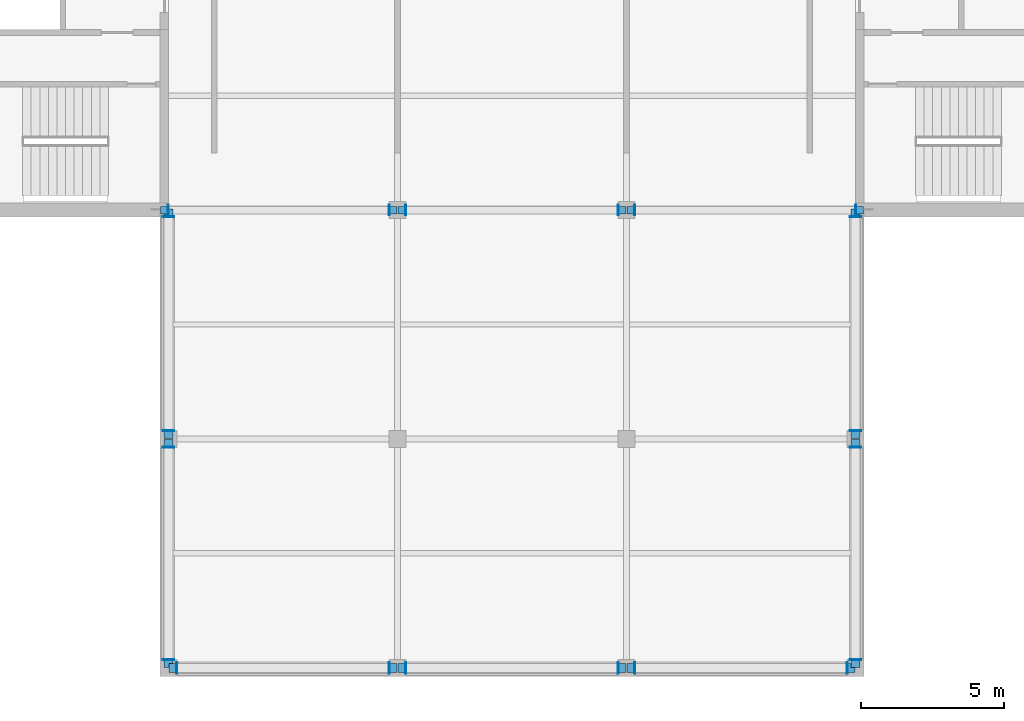
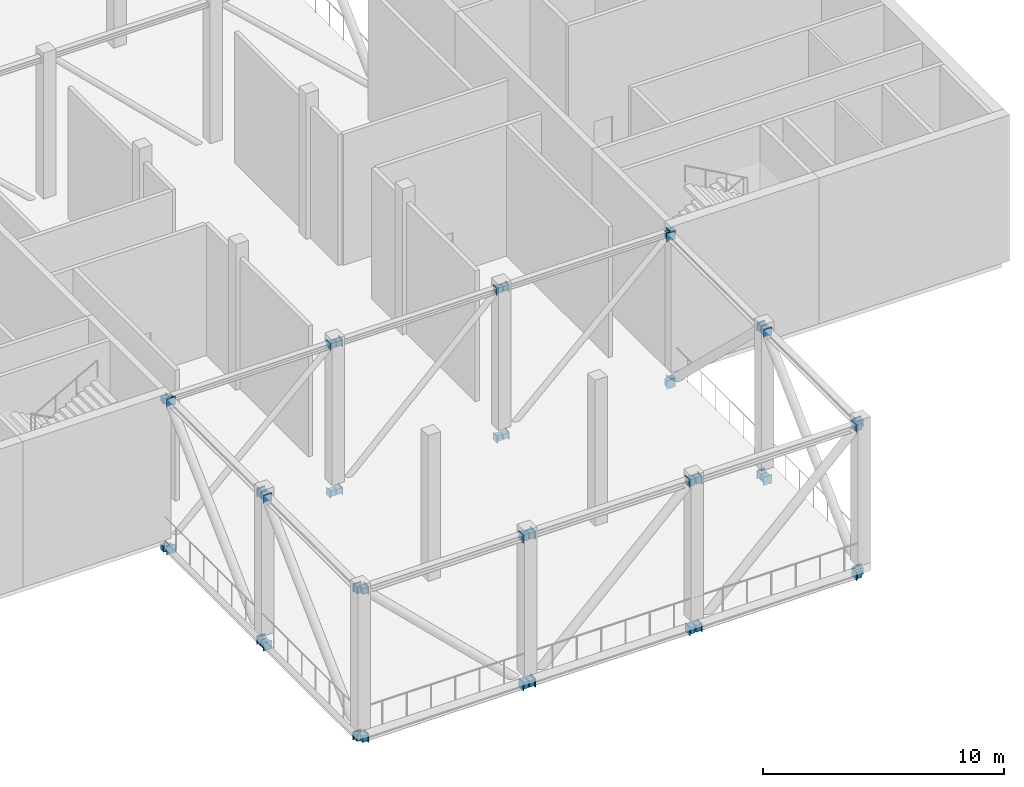
# One storey, part 6 of 9: 80 discrete accessories.
"""IFC4 building model written with IfcOpenShell, lengths in metres."""

from ifc_helpers import new_model, si_unit, direction, frame, origin, origin_2d, place, context, subcontext, project, spatial, rectangle, extrude, material, layer, layer_set, type_object, element, save


model = new_model("IFC4")

# Units and contexts
model_context = context("Model", 3, precision=1e-05, world=origin(), true_north=direction((0.0, 1.0)))
body_context = subcontext(model_context, "Body", "Model", "MODEL_VIEW")
ifc_project = project(units=[si_unit("LENGTHUNIT", "METRE"), si_unit("AREAUNIT", "SQUARE_METRE"), si_unit("VOLUMEUNIT", "CUBIC_METRE"), si_unit("PLANEANGLEUNIT", "RADIAN"), si_unit("MASSUNIT", "GRAM", prefix="KILO")], contexts=[model_context])

# Site, building, storey
site_placement = place(None, origin())
site = spatial("IfcSite", under=ifc_project, at=site_placement, CompositionType="ELEMENT")
building_placement = place(site_placement, origin())
building = spatial("IfcBuilding", under=site, at=building_placement, Name="Crosswind Convention Tower", CompositionType="ELEMENT")
storey_placement = place(building_placement, frame((0.0, 0.0, 303.89990234375)))
storey = spatial("IfcBuildingStorey", under=building, at=storey_placement, Name="L66", CompositionType="ELEMENT", Elevation=303.89990234375)

# Discrete accessories
ifc_material = material(Name="Steel S355", Category="steel")
ifc_layer_1 = layer(ifc_material, 0.030029296875)
ifc_layer_set_1 = layer_set([ifc_layer_1], Name="Steel S355")
discrete_accessory_type_1 = type_object("IfcDiscreteAccessoryType", Name="Cast-in plate 361 x 376 x 30", PredefinedType="ANCHORPLATE", material=ifc_layer_set_1)
for number, where, z_axis, x_axis, name in (
    (1, (112.985107421875, 88.0, -0.726318359375), (0.0, 0.0, 1.0), (1.0, 0.0, 0.0), "EP4 L66 cast-in plate"),
    (2, (120.715087890625, 88.0, -0.726318359375), (0.0, 0.0, 1.0), (1.0, 0.0, 0.0), "EP4 L66 cast-in plate"),
    (3, (112.985107421875, 88.0, 6.773681640625), (0.0, 0.0, 1.0), (1.0, 0.0, 0.0), "EP4 L66 cast-in plate"),
    (4, (120.715087890625, 88.0, 6.773681640625), (0.0, 0.0, 1.0), (1.0, 0.0, 0.0), "EP4 L66 cast-in plate"),
    (5, (121.284912109375, 88.0, -0.726318359375), (0.0, 0.0, 1.0), (1.0, 0.0, 0.0), "EP4 L66 cast-in plate"),
    (6, (128.715087890625, 88.0, -0.726318359375), (0.0, 0.0, 1.0), (1.0, 0.0, 0.0), "EP4 L66 cast-in plate"),
    (7, (121.284912109375, 88.0, 6.773681640625), (0.0, 0.0, 1.0), (1.0, 0.0, 0.0), "EP4 L66 cast-in plate"),
    (8, (128.715087890625, 88.0, 6.773681640625), (0.0, 0.0, 1.0), (1.0, 0.0, 0.0), "EP4 L66 cast-in plate"),
    (9, (129.284912109375, 88.0, -0.726318359375), (0.0, 0.0, 1.0), (1.0, 0.0, 0.0), "EP4 L66 cast-in plate"),
    (10, (137.014892578125, 88.0, -0.726318359375), (0.0, 0.0, 1.0), (1.0, 0.0, 0.0), "EP4 L66 cast-in plate"),
    (11, (129.284912109375, 88.0, 6.773681640625), (0.0, 0.0, 1.0), (1.0, 0.0, 0.0), "EP4 L66 cast-in plate"),
    (12, (137.014892578125, 88.0, 6.773681640625), (0.0, 0.0, 1.0), (1.0, 0.0, 0.0), "EP4 L66 cast-in plate"),
):
    element("IfcDiscreteAccessory", number, at=place(storey_placement, frame(where, z_axis=z_axis, x_axis=x_axis)), inside=storey, type_object=discrete_accessory_type_1, Name=name, PredefinedType="ANCHORPLATE", context=body_context, shape_type="SweptSolid", body=[
        extrude(rectangle(XDim=0.030029296875, YDim=0.361083984375, at=origin_2d()), origin(), (0.0, 0.0, 1.0), 0.37646484375),
    ])
ifc_layer_2 = layer(ifc_material, 0.030029296875)
ifc_layer_set_2 = layer_set([ifc_layer_2], Name="Steel S355")
discrete_accessory_type_2 = type_object("IfcDiscreteAccessoryType", Name="Cast-in plate 411 x 427 x 30", PredefinedType="ANCHORPLATE", material=ifc_layer_set_2)
for number, where, z_axis, x_axis, name in (
    (13, (113.0, 72.284912109375, -0.777099609375), (0.0, 0.0, 1.0), (1.0, 0.0, 0.0), "EP3 L66 cast-in plate"),
    (14, (113.0, 79.715087890625, -0.777099609375), (0.0, 0.0, 1.0), (1.0, 0.0, 0.0), "EP3 L66 cast-in plate"),
    (15, (113.0, 72.284912109375, 6.722900390625), (0.0, 0.0, 1.0), (1.0, 0.0, 0.0), "EP3 L66 cast-in plate"),
    (16, (113.0, 79.715087890625, 6.722900390625), (0.0, 0.0, 1.0), (1.0, 0.0, 0.0), "EP3 L66 cast-in plate"),
):
    element("IfcDiscreteAccessory", number, at=place(storey_placement, frame(where, z_axis=z_axis, x_axis=x_axis)), inside=storey, type_object=discrete_accessory_type_2, Name=name, PredefinedType="ANCHORPLATE", context=body_context, shape_type="SweptSolid", body=[
        extrude(rectangle(XDim=0.41064453125, YDim=0.030029296875, at=origin_2d()), origin(), (0.0, 0.0, 1.0), 0.42724609375),
    ])
for number, where, z_axis, x_axis, name in (
    (17, (113.284912109375, 72.0, -0.777099609375), (0.0, 0.0, 1.0), (1.0, 0.0, 0.0), "EP3 L66 cast-in plate"),
    (18, (120.715087890625, 72.0, -0.777099609375), (0.0, 0.0, 1.0), (1.0, 0.0, 0.0), "EP3 L66 cast-in plate"),
    (19, (113.284912109375, 72.0, 6.722900390625), (0.0, 0.0, 1.0), (1.0, 0.0, 0.0), "EP3 L66 cast-in plate"),
    (20, (120.715087890625, 72.0, 6.722900390625), (0.0, 0.0, 1.0), (1.0, 0.0, 0.0), "EP3 L66 cast-in plate"),
):
    element("IfcDiscreteAccessory", number, at=place(storey_placement, frame(where, z_axis=z_axis, x_axis=x_axis)), inside=storey, type_object=discrete_accessory_type_2, Name=name, PredefinedType="ANCHORPLATE", context=body_context, shape_type="SweptSolid", body=[
        extrude(rectangle(XDim=0.030029296875, YDim=0.41064453125, at=origin_2d()), origin(), (0.0, 0.0, 1.0), 0.42724609375),
    ])
for number, where, z_axis, x_axis, name in (
    (21, (113.0, 80.284912109375, -0.777099609375), (0.0, 0.0, 1.0), (1.0, 0.0, 0.0), "EP3 L66 cast-in plate"),
    (22, (113.0, 87.764892578125, -0.777099609375), (0.0, 0.0, 1.0), (1.0, 0.0, 0.0), "EP3 L66 cast-in plate"),
    (23, (113.0, 80.284912109375, 6.722900390625), (0.0, 0.0, 1.0), (1.0, 0.0, 0.0), "EP3 L66 cast-in plate"),
    (24, (113.0, 87.764892578125, 6.722900390625), (0.0, 0.0, 1.0), (1.0, 0.0, 0.0), "EP3 L66 cast-in plate"),
):
    element("IfcDiscreteAccessory", number, at=place(storey_placement, frame(where, z_axis=z_axis, x_axis=x_axis)), inside=storey, type_object=discrete_accessory_type_2, Name=name, PredefinedType="ANCHORPLATE", context=body_context, shape_type="SweptSolid", body=[
        extrude(rectangle(XDim=0.41064453125, YDim=0.030029296875, at=origin_2d()), origin(), (0.0, 0.0, 1.0), 0.42724609375),
    ])
for number, where, z_axis, x_axis, name in (
    (25, (121.284912109375, 72.0, -0.777099609375), (0.0, 0.0, 1.0), (1.0, 0.0, 0.0), "EP3 L66 cast-in plate"),
    (26, (128.715087890625, 72.0, -0.777099609375), (0.0, 0.0, 1.0), (1.0, 0.0, 0.0), "EP3 L66 cast-in plate"),
    (27, (121.284912109375, 72.0, 6.722900390625), (0.0, 0.0, 1.0), (1.0, 0.0, 0.0), "EP3 L66 cast-in plate"),
    (28, (128.715087890625, 72.0, 6.722900390625), (0.0, 0.0, 1.0), (1.0, 0.0, 0.0), "EP3 L66 cast-in plate"),
    (29, (129.284912109375, 72.0, -0.777099609375), (0.0, 0.0, 1.0), (1.0, 0.0, 0.0), "EP3 L66 cast-in plate"),
    (30, (136.715087890625, 72.0, -0.777099609375), (0.0, 0.0, 1.0), (1.0, 0.0, 0.0), "EP3 L66 cast-in plate"),
    (31, (129.284912109375, 72.0, 6.722900390625), (0.0, 0.0, 1.0), (1.0, 0.0, 0.0), "EP3 L66 cast-in plate"),
    (32, (136.715087890625, 72.0, 6.722900390625), (0.0, 0.0, 1.0), (1.0, 0.0, 0.0), "EP3 L66 cast-in plate"),
):
    element("IfcDiscreteAccessory", number, at=place(storey_placement, frame(where, z_axis=z_axis, x_axis=x_axis)), inside=storey, type_object=discrete_accessory_type_2, Name=name, PredefinedType="ANCHORPLATE", context=body_context, shape_type="SweptSolid", body=[
        extrude(rectangle(XDim=0.030029296875, YDim=0.41064453125, at=origin_2d()), origin(), (0.0, 0.0, 1.0), 0.42724609375),
    ])
for number, where, z_axis, x_axis, name in (
    (33, (137.0, 72.284912109375, -0.777099609375), (0.0, 0.0, 1.0), (1.0, 0.0, 0.0), "EP3 L66 cast-in plate"),
    (34, (137.0, 79.715087890625, -0.777099609375), (0.0, 0.0, 1.0), (1.0, 0.0, 0.0), "EP3 L66 cast-in plate"),
    (35, (137.0, 72.284912109375, 6.722900390625), (0.0, 0.0, 1.0), (1.0, 0.0, 0.0), "EP3 L66 cast-in plate"),
    (36, (137.0, 79.715087890625, 6.722900390625), (0.0, 0.0, 1.0), (1.0, 0.0, 0.0), "EP3 L66 cast-in plate"),
    (37, (137.0, 80.284912109375, -0.777099609375), (0.0, 0.0, 1.0), (1.0, 0.0, 0.0), "EP3 L66 cast-in plate"),
    (38, (137.0, 87.764892578125, -0.777099609375), (0.0, 0.0, 1.0), (1.0, 0.0, 0.0), "EP3 L66 cast-in plate"),
    (39, (137.0, 80.284912109375, 6.722900390625), (0.0, 0.0, 1.0), (1.0, 0.0, 0.0), "EP3 L66 cast-in plate"),
    (40, (137.0, 87.764892578125, 6.722900390625), (0.0, 0.0, 1.0), (1.0, 0.0, 0.0), "EP3 L66 cast-in plate"),
):
    element("IfcDiscreteAccessory", number, at=place(storey_placement, frame(where, z_axis=z_axis, x_axis=x_axis)), inside=storey, type_object=discrete_accessory_type_2, Name=name, PredefinedType="ANCHORPLATE", context=body_context, shape_type="SweptSolid", body=[
        extrude(rectangle(XDim=0.41064453125, YDim=0.030029296875, at=origin_2d()), origin(), (0.0, 0.0, 1.0), 0.42724609375),
    ])
discrete_accessory_type_3 = type_object("IfcDiscreteAccessoryType", Name="Headed stud group 261 x 276 x 250", PredefinedType="USERDEFINED", material=ifc_material)
for number, where, z_axis, x_axis, name in (
    (41, (112.844970703125, 88.0, -0.67626953125), (0.0, 0.0, 1.0), (1.0, 0.0, 0.0), "AB4 L66 headed stud group"),
    (42, (120.85498046875, 88.0, -0.67626953125), (0.0, 0.0, 1.0), (1.0, 0.0, 0.0), "AB4 L66 headed stud group"),
    (43, (112.844970703125, 88.0, 6.82373046875), (0.0, 0.0, 1.0), (1.0, 0.0, 0.0), "AB4 L66 headed stud group"),
    (44, (120.85498046875, 88.0, 6.82373046875), (0.0, 0.0, 1.0), (1.0, 0.0, 0.0), "AB4 L66 headed stud group"),
    (45, (121.14501953125, 88.0, -0.67626953125), (0.0, 0.0, 1.0), (1.0, 0.0, 0.0), "AB4 L66 headed stud group"),
    (46, (128.85498046875, 88.0, -0.67626953125), (0.0, 0.0, 1.0), (1.0, 0.0, 0.0), "AB4 L66 headed stud group"),
    (47, (121.14501953125, 88.0, 6.82373046875), (0.0, 0.0, 1.0), (1.0, 0.0, 0.0), "AB4 L66 headed stud group"),
    (48, (128.85498046875, 88.0, 6.82373046875), (0.0, 0.0, 1.0), (1.0, 0.0, 0.0), "AB4 L66 headed stud group"),
    (49, (129.14501953125, 88.0, -0.67626953125), (0.0, 0.0, 1.0), (1.0, 0.0, 0.0), "AB4 L66 headed stud group"),
    (50, (137.155029296875, 88.0, -0.67626953125), (0.0, 0.0, 1.0), (1.0, 0.0, 0.0), "AB4 L66 headed stud group"),
    (51, (129.14501953125, 88.0, 6.82373046875), (0.0, 0.0, 1.0), (1.0, 0.0, 0.0), "AB4 L66 headed stud group"),
    (52, (137.155029296875, 88.0, 6.82373046875), (0.0, 0.0, 1.0), (1.0, 0.0, 0.0), "AB4 L66 headed stud group"),
):
    element("IfcDiscreteAccessory", number, at=place(storey_placement, frame(where, z_axis=z_axis, x_axis=x_axis)), inside=storey, type_object=discrete_accessory_type_3, Name=name, ObjectType="HEADED STUD GROUP", PredefinedType="USERDEFINED", context=body_context, shape_type="SweptSolid", body=[
        extrude(rectangle(XDim=0.25, YDim=0.260986328125, at=origin_2d()), origin(), (0.0, 0.0, 1.0), 0.2763671875),
    ])
discrete_accessory_type_4 = type_object("IfcDiscreteAccessoryType", Name="Headed stud group 311 x 327 x 250", PredefinedType="USERDEFINED", material=ifc_material)
for number, where, z_axis, x_axis, name in (
    (53, (113.0, 72.14501953125, -0.72705078125), (0.0, 0.0, 1.0), (1.0, 0.0, 0.0), "AB3 L66 headed stud group"),
    (54, (113.0, 79.85498046875, -0.72705078125), (0.0, 0.0, 1.0), (1.0, 0.0, 0.0), "AB3 L66 headed stud group"),
    (55, (113.0, 72.14501953125, 6.77294921875), (0.0, 0.0, 1.0), (1.0, 0.0, 0.0), "AB3 L66 headed stud group"),
    (56, (113.0, 79.85498046875, 6.77294921875), (0.0, 0.0, 1.0), (1.0, 0.0, 0.0), "AB3 L66 headed stud group"),
):
    element("IfcDiscreteAccessory", number, at=place(storey_placement, frame(where, z_axis=z_axis, x_axis=x_axis)), inside=storey, type_object=discrete_accessory_type_4, Name=name, ObjectType="HEADED STUD GROUP", PredefinedType="USERDEFINED", context=body_context, shape_type="SweptSolid", body=[
        extrude(rectangle(XDim=0.310546875, YDim=0.25, at=origin_2d()), origin(), (0.0, 0.0, 1.0), 0.3271484375),
    ])
for number, where, z_axis, x_axis, name in (
    (57, (113.14501953125, 72.0, -0.72705078125), (0.0, 0.0, 1.0), (1.0, 0.0, 0.0), "AB3 L66 headed stud group"),
    (58, (120.85498046875, 72.0, -0.72705078125), (0.0, 0.0, 1.0), (1.0, 0.0, 0.0), "AB3 L66 headed stud group"),
    (59, (113.14501953125, 72.0, 6.77294921875), (0.0, 0.0, 1.0), (1.0, 0.0, 0.0), "AB3 L66 headed stud group"),
    (60, (120.85498046875, 72.0, 6.77294921875), (0.0, 0.0, 1.0), (1.0, 0.0, 0.0), "AB3 L66 headed stud group"),
):
    element("IfcDiscreteAccessory", number, at=place(storey_placement, frame(where, z_axis=z_axis, x_axis=x_axis)), inside=storey, type_object=discrete_accessory_type_4, Name=name, ObjectType="HEADED STUD GROUP", PredefinedType="USERDEFINED", context=body_context, shape_type="SweptSolid", body=[
        extrude(rectangle(XDim=0.25, YDim=0.310546875, at=origin_2d()), origin(), (0.0, 0.0, 1.0), 0.3271484375),
    ])
for number, where, z_axis, x_axis, name in (
    (61, (113.0, 80.14501953125, -0.72705078125), (0.0, 0.0, 1.0), (1.0, 0.0, 0.0), "AB3 L66 headed stud group"),
    (62, (113.0, 87.905029296875, -0.72705078125), (0.0, 0.0, 1.0), (1.0, 0.0, 0.0), "AB3 L66 headed stud group"),
    (63, (113.0, 80.14501953125, 6.77294921875), (0.0, 0.0, 1.0), (1.0, 0.0, 0.0), "AB3 L66 headed stud group"),
    (64, (113.0, 87.905029296875, 6.77294921875), (0.0, 0.0, 1.0), (1.0, 0.0, 0.0), "AB3 L66 headed stud group"),
):
    element("IfcDiscreteAccessory", number, at=place(storey_placement, frame(where, z_axis=z_axis, x_axis=x_axis)), inside=storey, type_object=discrete_accessory_type_4, Name=name, ObjectType="HEADED STUD GROUP", PredefinedType="USERDEFINED", context=body_context, shape_type="SweptSolid", body=[
        extrude(rectangle(XDim=0.310546875, YDim=0.25, at=origin_2d()), origin(), (0.0, 0.0, 1.0), 0.3271484375),
    ])
for number, where, z_axis, x_axis, name in (
    (65, (121.14501953125, 72.0, -0.72705078125), (0.0, 0.0, 1.0), (1.0, 0.0, 0.0), "AB3 L66 headed stud group"),
    (66, (128.85498046875, 72.0, -0.72705078125), (0.0, 0.0, 1.0), (1.0, 0.0, 0.0), "AB3 L66 headed stud group"),
    (67, (121.14501953125, 72.0, 6.77294921875), (0.0, 0.0, 1.0), (1.0, 0.0, 0.0), "AB3 L66 headed stud group"),
    (68, (128.85498046875, 72.0, 6.77294921875), (0.0, 0.0, 1.0), (1.0, 0.0, 0.0), "AB3 L66 headed stud group"),
    (69, (129.14501953125, 72.0, -0.72705078125), (0.0, 0.0, 1.0), (1.0, 0.0, 0.0), "AB3 L66 headed stud group"),
    (70, (136.85498046875, 72.0, -0.72705078125), (0.0, 0.0, 1.0), (1.0, 0.0, 0.0), "AB3 L66 headed stud group"),
    (71, (129.14501953125, 72.0, 6.77294921875), (0.0, 0.0, 1.0), (1.0, 0.0, 0.0), "AB3 L66 headed stud group"),
    (72, (136.85498046875, 72.0, 6.77294921875), (0.0, 0.0, 1.0), (1.0, 0.0, 0.0), "AB3 L66 headed stud group"),
):
    element("IfcDiscreteAccessory", number, at=place(storey_placement, frame(where, z_axis=z_axis, x_axis=x_axis)), inside=storey, type_object=discrete_accessory_type_4, Name=name, ObjectType="HEADED STUD GROUP", PredefinedType="USERDEFINED", context=body_context, shape_type="SweptSolid", body=[
        extrude(rectangle(XDim=0.25, YDim=0.310546875, at=origin_2d()), origin(), (0.0, 0.0, 1.0), 0.3271484375),
    ])
for number, where, z_axis, x_axis, name in (
    (73, (137.0, 72.14501953125, -0.72705078125), (0.0, 0.0, 1.0), (1.0, 0.0, 0.0), "AB3 L66 headed stud group"),
    (74, (137.0, 79.85498046875, -0.72705078125), (0.0, 0.0, 1.0), (1.0, 0.0, 0.0), "AB3 L66 headed stud group"),
    (75, (137.0, 72.14501953125, 6.77294921875), (0.0, 0.0, 1.0), (1.0, 0.0, 0.0), "AB3 L66 headed stud group"),
    (76, (137.0, 79.85498046875, 6.77294921875), (0.0, 0.0, 1.0), (1.0, 0.0, 0.0), "AB3 L66 headed stud group"),
    (77, (137.0, 80.14501953125, -0.72705078125), (0.0, 0.0, 1.0), (1.0, 0.0, 0.0), "AB3 L66 headed stud group"),
    (78, (137.0, 87.905029296875, -0.72705078125), (0.0, 0.0, 1.0), (1.0, 0.0, 0.0), "AB3 L66 headed stud group"),
    (79, (137.0, 80.14501953125, 6.77294921875), (0.0, 0.0, 1.0), (1.0, 0.0, 0.0), "AB3 L66 headed stud group"),
    (80, (137.0, 87.905029296875, 6.77294921875), (0.0, 0.0, 1.0), (1.0, 0.0, 0.0), "AB3 L66 headed stud group"),
):
    element("IfcDiscreteAccessory", number, at=place(storey_placement, frame(where, z_axis=z_axis, x_axis=x_axis)), inside=storey, type_object=discrete_accessory_type_4, Name=name, ObjectType="HEADED STUD GROUP", PredefinedType="USERDEFINED", context=body_context, shape_type="SweptSolid", body=[
        extrude(rectangle(XDim=0.310546875, YDim=0.25, at=origin_2d()), origin(), (0.0, 0.0, 1.0), 0.3271484375),
    ])

save(model, "model.ifc")
